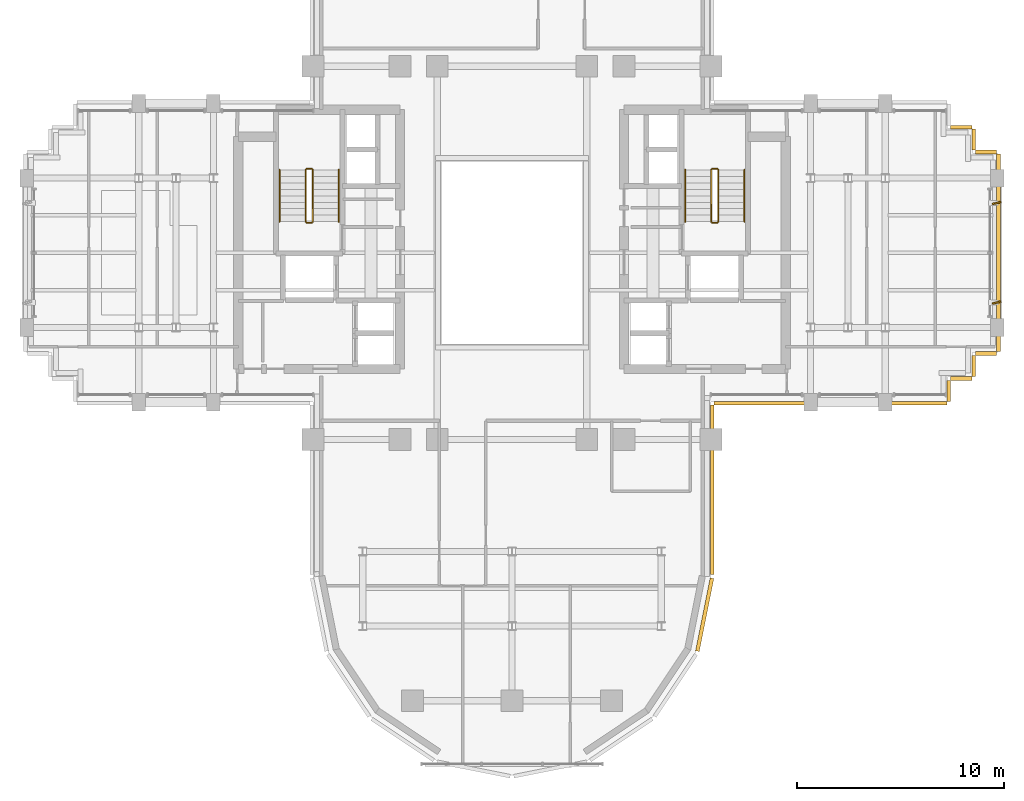
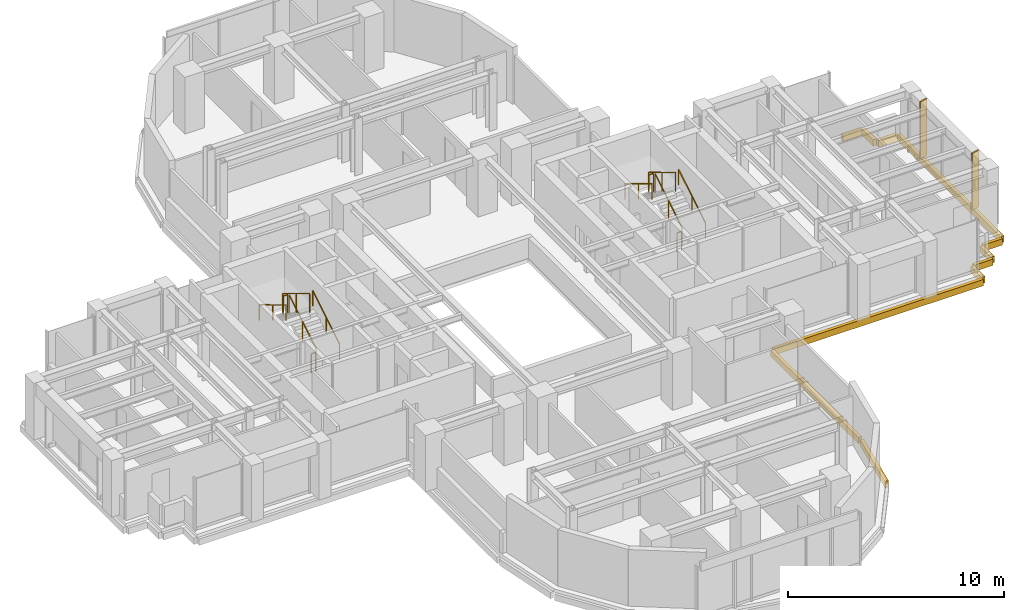
# One storey, part 13 of 14: 12 railings, 11 coverings, 2 shading devices.
"""IFC4 building model written with IfcOpenShell, lengths in metres."""

from ifc_helpers import new_model, si_unit, direction, frame, origin, origin_2d, place, context, subcontext, project, spatial, rectangle, extrude, source, transform, mapped, material, layer, layer_set, type_object, element, save


model = new_model("IFC4")

# Units and contexts
model_context = context("Model", 3, precision=1e-05, world=origin(), true_north=direction((0.0, 1.0)))
body_context = subcontext(model_context, "Body", "Model", "MODEL_VIEW")
ifc_project = project(units=[si_unit("LENGTHUNIT", "METRE"), si_unit("AREAUNIT", "SQUARE_METRE"), si_unit("VOLUMEUNIT", "CUBIC_METRE"), si_unit("PLANEANGLEUNIT", "RADIAN"), si_unit("MASSUNIT", "GRAM", prefix="KILO")], contexts=[model_context])

# Site, building, storey
site_placement = place(None, origin())
site = spatial("IfcSite", under=ifc_project, at=site_placement, CompositionType="ELEMENT")
building_placement = place(site_placement, origin())
building = spatial("IfcBuilding", under=site, at=building_placement, Name="Keilestroom Media Tower", CompositionType="ELEMENT")
storey_placement = place(building_placement, frame((0.0, 0.0, 121.0)))
storey = spatial("IfcBuildingStorey", under=building, at=storey_placement, Name="L32", CompositionType="ELEMENT", Elevation=121.0)

# Railings
ifc_material_1 = material(Name="Brushed Stainless Steel 1.4301", Category="steel")
railing_type_1 = type_object("IfcRailingType", Name="Stair-Pitch-Handrail-920", PredefinedType="HANDRAIL", material=ifc_material_1)
railing_1_placement = place(storey_placement, frame((-8.35009765625, 1.5, 0.18896484375)))
element("IfcRailing", 1, at=railing_1_placement, inside=storey, type_object=railing_type_1, Name="L32 ST-1 stair handrail 1", PredefinedType="HANDRAIL", context=body_context, shape_type="SweptSolid", body=[
    extrude(rectangle(XDim=0.048095703125, YDim=0.048095703125, at=origin_2d()), frame((0.0, 0.0, 0.8759765625), z_axis=(0.0, 0.855470815493, 0.517851024754), x_axis=(-1.0, 0.0, 0.0)), (0.0, 0.0, 1.0), 2.917724609375),
    extrude(rectangle(XDim=0.0419921875, YDim=0.0419921875, at=origin_2d()), origin(), (0.0, 0.0, 1.0), 0.84375),
    extrude(rectangle(XDim=0.0419921875, YDim=0.0419921875, at=origin_2d()), frame((0.0, 1.248046875, 0.75537109375)), (0.0, 0.0, 1.0), 0.84375),
    extrude(rectangle(XDim=0.0419921875, YDim=0.0419921875, at=origin_2d()), frame((0.0, 2.49609375, 1.510986328125)), (0.0, 0.0, 1.0), 0.84375),
])
railing_2_placement = place(storey_placement, frame((-11.2099609375, 3.99609375, 1.888916015625)))
element("IfcRailing", 2, at=railing_2_placement, inside=storey, type_object=railing_type_1, Name="L32 ST-1 stair handrail 2", PredefinedType="HANDRAIL", context=body_context, shape_type="SweptSolid", body=[
    extrude(rectangle(XDim=0.048095703125, YDim=0.048095703125, at=origin_2d()), frame((0.0, 0.0, 0.8759765625), z_axis=(0.0, -0.855470815493, 0.517851024754), x_axis=(1.0, 0.0, 0.0)), (0.0, 0.0, 1.0), 2.917724609375),
    extrude(rectangle(XDim=0.0419921875, YDim=0.0419921875, at=origin_2d()), origin(), (0.0, 0.0, 1.0), 0.84375),
    extrude(rectangle(XDim=0.0419921875, YDim=0.0419921875, at=origin_2d()), frame((0.0, -1.248046875, 0.75537109375)), (0.0, 0.0, 1.0), 0.84375),
    extrude(rectangle(XDim=0.0419921875, YDim=0.0419921875, at=origin_2d()), frame((0.0, -2.49609375, 1.510986328125)), (0.0, 0.0, 1.0), 0.84375),
])
railing_3_placement = place(storey_placement, frame((11.2099609375, 1.5, 0.18896484375)))
element("IfcRailing", 3, at=railing_3_placement, inside=storey, type_object=railing_type_1, Name="L32 ST-2 stair handrail 1", PredefinedType="HANDRAIL", context=body_context, shape_type="SweptSolid", body=[
    extrude(rectangle(XDim=0.048095703125, YDim=0.048095703125, at=origin_2d()), frame((0.0, 0.0, 0.8759765625), z_axis=(0.0, 0.855470815493, 0.517851024754), x_axis=(-1.0, 0.0, 0.0)), (0.0, 0.0, 1.0), 2.917724609375),
    extrude(rectangle(XDim=0.0419921875, YDim=0.0419921875, at=origin_2d()), origin(), (0.0, 0.0, 1.0), 0.84375),
    extrude(rectangle(XDim=0.0419921875, YDim=0.0419921875, at=origin_2d()), frame((0.0, 1.248046875, 0.75537109375)), (0.0, 0.0, 1.0), 0.84375),
    extrude(rectangle(XDim=0.0419921875, YDim=0.0419921875, at=origin_2d()), frame((0.0, 2.49609375, 1.510986328125)), (0.0, 0.0, 1.0), 0.84375),
])
railing_4_placement = place(storey_placement, frame((8.35009765625, 3.99609375, 1.888916015625)))
element("IfcRailing", 4, at=railing_4_placement, inside=storey, type_object=railing_type_1, Name="L32 ST-2 stair handrail 2", PredefinedType="HANDRAIL", context=body_context, shape_type="SweptSolid", body=[
    extrude(rectangle(XDim=0.048095703125, YDim=0.048095703125, at=origin_2d()), frame((0.0, 0.0, 0.8759765625), z_axis=(0.0, -0.855470815493, 0.517851024754), x_axis=(1.0, 0.0, 0.0)), (0.0, 0.0, 1.0), 2.917724609375),
    extrude(rectangle(XDim=0.0419921875, YDim=0.0419921875, at=origin_2d()), origin(), (0.0, 0.0, 1.0), 0.84375),
    extrude(rectangle(XDim=0.0419921875, YDim=0.0419921875, at=origin_2d()), frame((0.0, -1.248046875, 0.75537109375)), (0.0, 0.0, 1.0), 0.84375),
    extrude(rectangle(XDim=0.0419921875, YDim=0.0419921875, at=origin_2d()), frame((0.0, -2.49609375, 1.510986328125)), (0.0, 0.0, 1.0), 0.84375),
])
ifc_material_2 = material(Name="Painted Steel Balustrade", Category="steel")
railing_type_2 = type_object("IfcRailingType", Name="Stair-Well-And-Landing-Guard-1100", PredefinedType="GUARDRAIL", material=ifc_material_2)
railing_5_placement = place(storey_placement, frame((-9.610107421875, 1.5, 0.18896484375)))
element("IfcRailing", 5, at=railing_5_placement, inside=storey, type_object=railing_type_2, Name="L32 ST-1 stair guard 1", PredefinedType="GUARDRAIL", context=body_context, shape_type="SweptSolid", body=[
    extrude(rectangle(XDim=0.048095703125, YDim=0.048095703125, at=origin_2d()), frame((0.0, 0.0, 1.076171875), z_axis=(0.0, 0.855470815493, 0.517851024754), x_axis=(-1.0, 0.0, 0.0)), (0.0, 0.0, 1.0), 2.917724609375),
    extrude(rectangle(XDim=0.0419921875, YDim=0.0419921875, at=origin_2d()), origin(), (0.0, 0.0, 1.0), 1.0439453125),
    extrude(rectangle(XDim=0.0419921875, YDim=0.0419921875, at=origin_2d()), frame((0.0, 1.248046875, 0.75537109375)), (0.0, 0.0, 1.0), 1.0439453125),
    extrude(rectangle(XDim=0.0419921875, YDim=0.0419921875, at=origin_2d()), frame((0.0, 2.49609375, 1.510986328125)), (0.0, 0.0, 1.0), 1.0439453125),
])
railing_6_placement = place(storey_placement, frame((-9.659912109375, 4.0458984375, 1.699951171875)))
element("IfcRailing", 6, at=railing_6_placement, inside=storey, type_object=railing_type_2, Name="L32 ST-1 stair guard 2", PredefinedType="GUARDRAIL", context=body_context, shape_type="SweptSolid", body=[
    extrude(rectangle(XDim=0.048095703125, YDim=0.048095703125, at=origin_2d()), frame((0.0, 0.0, 1.076171875), z_axis=(-1.0, 0.0, 0.0), x_axis=(0.0, -1.0, 0.0)), (0.0, 0.0, 1.0), 0.239990234375),
    extrude(rectangle(XDim=0.0419921875, YDim=0.0419921875, at=origin_2d()), origin(), (0.0, 0.0, 1.0), 1.0439453125),
    extrude(rectangle(XDim=0.0419921875, YDim=0.0419921875, at=origin_2d()), frame((-0.239990234375, 0.0, 0.0)), (0.0, 0.0, 1.0), 1.0439453125),
])
railing_7_placement = place(storey_placement, frame((-9.949951171875, 3.99609375, 1.888916015625)))
element("IfcRailing", 7, at=railing_7_placement, inside=storey, type_object=railing_type_2, Name="L32 ST-1 stair guard 3", PredefinedType="GUARDRAIL", context=body_context, shape_type="SweptSolid", body=[
    extrude(rectangle(XDim=0.048095703125, YDim=0.048095703125, at=origin_2d()), frame((0.0, 0.0, 1.076171875), z_axis=(0.0, -0.855470815493, 0.517851024754), x_axis=(1.0, 0.0, 0.0)), (0.0, 0.0, 1.0), 2.917724609375),
    extrude(rectangle(XDim=0.0419921875, YDim=0.0419921875, at=origin_2d()), origin(), (0.0, 0.0, 1.0), 1.0439453125),
    extrude(rectangle(XDim=0.0419921875, YDim=0.0419921875, at=origin_2d()), frame((0.0, -1.248046875, 0.75537109375)), (0.0, 0.0, 1.0), 1.0439453125),
    extrude(rectangle(XDim=0.0419921875, YDim=0.0419921875, at=origin_2d()), frame((0.0, -2.49609375, 1.510986328125)), (0.0, 0.0, 1.0), 1.0439453125),
])
railing_8_placement = place(storey_placement, frame((-9.659912109375, 1.449951171875, 0.0)))
element("IfcRailing", 8, at=railing_8_placement, inside=storey, type_object=railing_type_2, Name="L32 ST-1 stair guard 4", PredefinedType="GUARDRAIL", context=body_context, shape_type="SweptSolid", body=[
    extrude(rectangle(XDim=0.048095703125, YDim=0.048095703125, at=origin_2d()), frame((0.0, 0.0, 1.076171875), z_axis=(-1.0, 0.0, 0.0), x_axis=(0.0, -1.0, 0.0)), (0.0, 0.0, 1.0), 0.239990234375),
    extrude(rectangle(XDim=0.0419921875, YDim=0.0419921875, at=origin_2d()), origin(), (0.0, 0.0, 1.0), 1.0439453125),
    extrude(rectangle(XDim=0.0419921875, YDim=0.0419921875, at=origin_2d()), frame((-0.239990234375, 0.0, 0.0)), (0.0, 0.0, 1.0), 1.0439453125),
])
railing_9_placement = place(storey_placement, frame((9.949951171875, 1.5, 0.18896484375)))
element("IfcRailing", 9, at=railing_9_placement, inside=storey, type_object=railing_type_2, Name="L32 ST-2 stair guard 1", PredefinedType="GUARDRAIL", context=body_context, shape_type="SweptSolid", body=[
    extrude(rectangle(XDim=0.048095703125, YDim=0.048095703125, at=origin_2d()), frame((0.0, 0.0, 1.076171875), z_axis=(0.0, 0.855470815493, 0.517851024754), x_axis=(-1.0, 0.0, 0.0)), (0.0, 0.0, 1.0), 2.917724609375),
    extrude(rectangle(XDim=0.0419921875, YDim=0.0419921875, at=origin_2d()), origin(), (0.0, 0.0, 1.0), 1.0439453125),
    extrude(rectangle(XDim=0.0419921875, YDim=0.0419921875, at=origin_2d()), frame((0.0, 1.248046875, 0.75537109375)), (0.0, 0.0, 1.0), 1.0439453125),
    extrude(rectangle(XDim=0.0419921875, YDim=0.0419921875, at=origin_2d()), frame((0.0, 2.49609375, 1.510986328125)), (0.0, 0.0, 1.0), 1.0439453125),
])
railing_10_placement = place(storey_placement, frame((9.89990234375, 4.0458984375, 1.699951171875)))
element("IfcRailing", 10, at=railing_10_placement, inside=storey, type_object=railing_type_2, Name="L32 ST-2 stair guard 2", PredefinedType="GUARDRAIL", context=body_context, shape_type="SweptSolid", body=[
    extrude(rectangle(XDim=0.048095703125, YDim=0.048095703125, at=origin_2d()), frame((0.0, 0.0, 1.076171875), z_axis=(-1.0, 0.0, 0.0), x_axis=(0.0, -1.0, 0.0)), (0.0, 0.0, 1.0), 0.239990234375),
    extrude(rectangle(XDim=0.0419921875, YDim=0.0419921875, at=origin_2d()), origin(), (0.0, 0.0, 1.0), 1.0439453125),
    extrude(rectangle(XDim=0.0419921875, YDim=0.0419921875, at=origin_2d()), frame((-0.239990234375, 0.0, 0.0)), (0.0, 0.0, 1.0), 1.0439453125),
])
railing_11_placement = place(storey_placement, frame((9.610107421875, 3.99609375, 1.888916015625)))
element("IfcRailing", 11, at=railing_11_placement, inside=storey, type_object=railing_type_2, Name="L32 ST-2 stair guard 3", PredefinedType="GUARDRAIL", context=body_context, shape_type="SweptSolid", body=[
    extrude(rectangle(XDim=0.048095703125, YDim=0.048095703125, at=origin_2d()), frame((0.0, 0.0, 1.076171875), z_axis=(0.0, -0.855470815493, 0.517851024754), x_axis=(1.0, 0.0, 0.0)), (0.0, 0.0, 1.0), 2.917724609375),
    extrude(rectangle(XDim=0.0419921875, YDim=0.0419921875, at=origin_2d()), origin(), (0.0, 0.0, 1.0), 1.0439453125),
    extrude(rectangle(XDim=0.0419921875, YDim=0.0419921875, at=origin_2d()), frame((0.0, -1.248046875, 0.75537109375)), (0.0, 0.0, 1.0), 1.0439453125),
    extrude(rectangle(XDim=0.0419921875, YDim=0.0419921875, at=origin_2d()), frame((0.0, -2.49609375, 1.510986328125)), (0.0, 0.0, 1.0), 1.0439453125),
])
railing_12_placement = place(storey_placement, frame((9.89990234375, 1.449951171875, 0.0)))
element("IfcRailing", 12, at=railing_12_placement, inside=storey, type_object=railing_type_2, Name="L32 ST-2 stair guard 4", PredefinedType="GUARDRAIL", context=body_context, shape_type="SweptSolid", body=[
    extrude(rectangle(XDim=0.048095703125, YDim=0.048095703125, at=origin_2d()), frame((0.0, 0.0, 1.076171875), z_axis=(-1.0, 0.0, 0.0), x_axis=(0.0, -1.0, 0.0)), (0.0, 0.0, 1.0), 0.239990234375),
    extrude(rectangle(XDim=0.0419921875, YDim=0.0419921875, at=origin_2d()), origin(), (0.0, 0.0, 1.0), 1.0439453125),
    extrude(rectangle(XDim=0.0419921875, YDim=0.0419921875, at=origin_2d()), frame((-0.239990234375, 0.0, 0.0)), (0.0, 0.0, 1.0), 1.0439453125),
])

# Shading devices
ifc_material_3 = material(Name="Bronze Anodised Aluminium", Category="aluminium")
shading_device_type = type_object("IfcShadingDeviceType", Name="Facade-Vertical-Sunshade-Fin-SHD-1", PredefinedType="USERDEFINED", material=ifc_material_3)
shared_shape_1 = source(origin(), body_context, "Body", "SweptSolid", [
    extrude(rectangle(XDim=0.419921875, YDim=0.080078125, at=origin_2d()), origin(), (0.0, 0.0, 1.0), 3.199951171875),
])
for number, where, z_axis, x_axis, name in (
    (13, (23.3701171875, -2.39990234375, 0.0), (0.0, 0.0, 1.0), (0.97341924665, 0.229030500703, 0.0), "L32 Twisting Sunshade Fin SHD-1 039"),
    (14, (23.3701171875, 2.39990234375, 0.0), (0.0, 0.0, 1.0), (0.97341924665, 0.229030500703, 0.0), "L32 Twisting Sunshade Fin SHD-1 040"),
):
    element("IfcShadingDevice", number, at=place(storey_placement, frame(where, z_axis=z_axis, x_axis=x_axis)), inside=storey, type_object=shading_device_type, Name=name, ObjectType="SUNSHADE", PredefinedType="USERDEFINED", context=body_context, shape_type="MappedRepresentation", body=[
        mapped(shared_shape_1, transform((0.0, 0.0, 0.0), x_axis=(1.0, 0.0, 0.0), y_axis=(0.0, 1.0, 0.0), z_axis=(0.0, 0.0, 1.0), scale=1.0)),
    ])

# Coverings
ifc_material_4 = material(Name="Precast concrete C40/50", Category="concrete")
ifc_layer = layer(ifc_material_4, 0.1201171875)
ifc_layer_set = layer_set([ifc_layer], Name="Precast concrete C40/50")
covering_type = type_object("IfcCoveringType", Name="Exterior-Precast-Spandrel-Cladding-Panel-120", PredefinedType="CLADDING", material=ifc_layer_set)
shared_shape_2 = source(origin(), body_context, "Body", "SweptSolid", [
    extrude(rectangle(XDim=1.02001953125, YDim=0.179931640625, at=origin_2d()), origin(), (0.0, 0.0, 1.0), 0.360107421875),
])
for number, where, z_axis, x_axis, name in (
    (15, (22.860107421875, -4.860107421875, -0.5400390625), (0.0, 0.0, 1.0), (-1.0, 0.0, 0.0), "L32 Precast Slab-Edge Fascia Cornice 01"),
    (16, (22.260009765625, -5.4599609375, -0.5400390625), (0.0, 0.0, 1.0), (0.0, -1.0, 0.0), "L32 Precast Slab-Edge Fascia Cornice 02"),
    (17, (21.659912109375, -6.06005859375, -0.5400390625), (0.0, 0.0, 1.0), (-1.0, 0.0, 0.0), "L32 Precast Slab-Edge Fascia Cornice 03"),
    (18, (21.06005859375, -6.659912109375, -0.5400390625), (0.0, 0.0, 1.0), (0.0, -1.0, 0.0), "L32 Precast Slab-Edge Fascia Cornice 04"),
    (19, (21.659912109375, 6.06005859375, -0.5400390625), (0.0, 0.0, 1.0), (1.0, 0.0, 0.0), "L32 Precast Slab-Edge Fascia Cornice 39"),
    (20, (22.260009765625, 5.4599609375, -0.5400390625), (0.0, 0.0, 1.0), (0.0, -1.0, 0.0), "L32 Precast Slab-Edge Fascia Cornice 40"),
    (21, (22.860107421875, 4.860107421875, -0.5400390625), (0.0, 0.0, 1.0), (1.0, 0.0, 0.0), "L32 Precast Slab-Edge Fascia Cornice 41"),
):
    element("IfcCovering", number, at=place(storey_placement, frame(where, z_axis=z_axis, x_axis=x_axis)), inside=storey, type_object=covering_type, Name=name, PredefinedType="CLADDING", context=body_context, shape_type="MappedRepresentation", body=[
        mapped(shared_shape_2, transform((0.0, 0.0, 0.0), x_axis=(1.0, 0.0, 0.0), y_axis=(0.0, 1.0, 0.0), z_axis=(0.0, 0.0, 1.0), scale=1.0)),
    ])
shared_shape_3 = source(origin(), body_context, "Body", "SweptSolid", [
    extrude(rectangle(XDim=8.166015625, YDim=0.179931640625, at=origin_2d()), origin(), (0.0, 0.0, 1.0), 0.360107421875),
])
covering_1_placement = place(storey_placement, frame((9.659912109375, -11.43310546875, -0.5400390625), z_axis=(0.0, 0.0, 1.0), x_axis=(0.0, -1.0, 0.0)))
element("IfcCovering", 22, at=covering_1_placement, inside=storey, type_object=covering_type, Name="L32 Precast Slab-Edge Fascia Cornice 06", PredefinedType="CLADDING", context=body_context, shape_type="MappedRepresentation", body=[
    mapped(shared_shape_3, transform((0.0, 0.0, 0.0), x_axis=(1.0, 0.0, 0.0), y_axis=(0.0, 1.0, 0.0), z_axis=(0.0, 0.0, 1.0), scale=1.0)),
])
shared_shape_4 = source(origin(), body_context, "Body", "SweptSolid", [
    extrude(rectangle(XDim=3.58349609375, YDim=0.179931640625, at=origin_2d()), origin(), (0.0, 0.0, 1.0), 0.360107421875),
])
covering_2_placement = place(storey_placement, frame((9.29296875, -17.45166015625, -0.5400390625), z_axis=(0.0, 0.0, 1.0), x_axis=(-0.195098880975, -0.980783577882, 0.0)))
element("IfcCovering", 23, at=covering_2_placement, inside=storey, type_object=covering_type, Name="L32 Precast Slab-Edge Fascia Cornice 07", PredefinedType="CLADDING", context=body_context, shape_type="MappedRepresentation", body=[
    mapped(shared_shape_4, transform((0.0, 0.0, 0.0), x_axis=(1.0, 0.0, 0.0), y_axis=(0.0, 1.0, 0.0), z_axis=(0.0, 0.0, 1.0), scale=1.0)),
])
shared_shape_5 = source(origin(), body_context, "Body", "SweptSolid", [
    extrude(rectangle(XDim=9.5400390625, YDim=0.179931640625, at=origin_2d()), origin(), (0.0, 0.0, 1.0), 0.360107421875),
])
covering_3_placement = place(storey_placement, frame((23.4599609375, 0.0, -0.5400390625), z_axis=(0.0, 0.0, 1.0), x_axis=(0.0, -1.0, 0.0)))
element("IfcCovering", 24, at=covering_3_placement, inside=storey, type_object=covering_type, Name="L32 Precast Slab-Edge Fascia Cornice 42", PredefinedType="CLADDING", context=body_context, shape_type="MappedRepresentation", body=[
    mapped(shared_shape_5, transform((0.0, 0.0, 0.0), x_axis=(1.0, 0.0, 0.0), y_axis=(0.0, 1.0, 0.0), z_axis=(0.0, 0.0, 1.0), scale=1.0)),
])
shared_shape_6 = source(origin(), body_context, "Body", "SweptSolid", [
    extrude(rectangle(XDim=11.219970703125, YDim=0.179931640625, at=origin_2d()), origin(), (0.0, 0.0, 1.0), 0.360107421875),
])
covering_4_placement = place(storey_placement, frame((15.360107421875, -7.260009765625, -0.5400390625), z_axis=(0.0, 0.0, 1.0), x_axis=(-1.0, 0.0, 0.0)))
element("IfcCovering", 25, at=covering_4_placement, inside=storey, type_object=covering_type, Name="L32 Precast Slab-Edge Fascia Cornice 05", PredefinedType="CLADDING", context=body_context, shape_type="MappedRepresentation", body=[
    mapped(shared_shape_6, transform((0.0, 0.0, 0.0), x_axis=(1.0, 0.0, 0.0), y_axis=(0.0, 1.0, 0.0), z_axis=(0.0, 0.0, 1.0), scale=1.0)),
])

save(model, "model.ifc")
